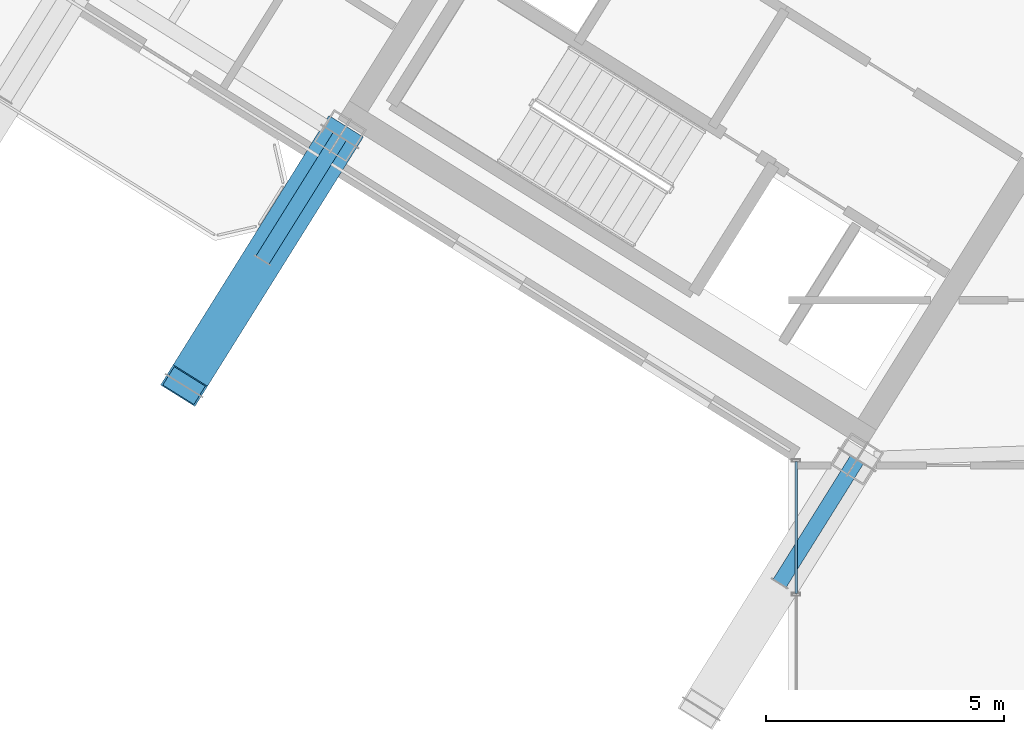
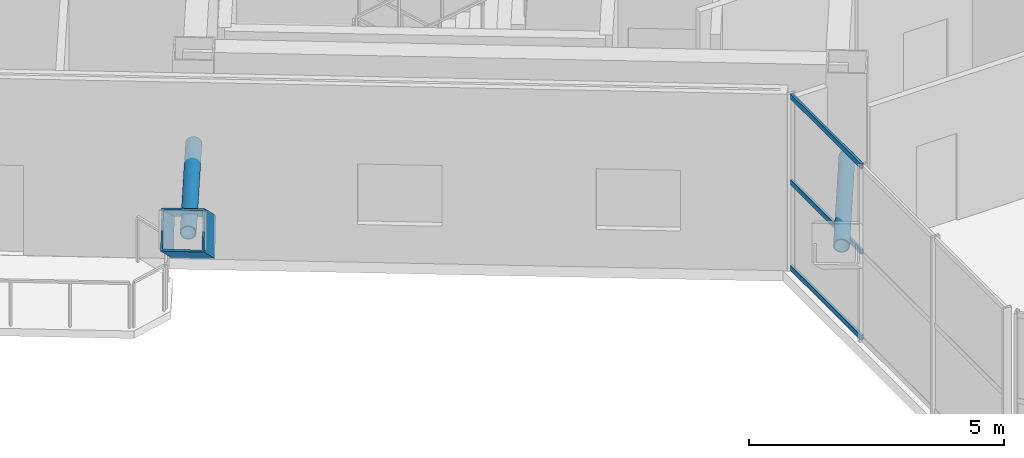
# One storey, part 6 of 34: 6 members, 1 element without a shape of its own.
"""IFC4 building model written with IfcOpenShell, lengths in metres."""

from ifc_helpers import new_model, si_unit, direction, frame, origin, origin_2d, place, context, subcontext, project, spatial, hollow_rectangle, hollow_circle, extrude, source, transform, mapped, material, material_profile, profile_set, type_object, element, aggregate, save


model = new_model("IFC4")

# Units and contexts
model_context = context("Model", 3, precision=1e-05, world=origin(), true_north=direction((0.0, 1.0)))
body_context = subcontext(model_context, "Body", "Model", "MODEL_VIEW")
ifc_project = project(units=[si_unit("LENGTHUNIT", "METRE"), si_unit("AREAUNIT", "SQUARE_METRE"), si_unit("VOLUMEUNIT", "CUBIC_METRE"), si_unit("PLANEANGLEUNIT", "RADIAN"), si_unit("MASSUNIT", "GRAM", prefix="KILO")], contexts=[model_context])

# Site, building, storey
site_placement = place(None, origin())
site = spatial("IfcSite", under=ifc_project, at=site_placement, CompositionType="ELEMENT")
building_placement = place(site_placement, origin())
building = spatial("IfcBuilding", under=site, at=building_placement, Name="Tlacorven Tower", CompositionType="ELEMENT")
storey_placement = place(building_placement, frame((0.0, 0.0, 229.199951171875)))
storey = spatial("IfcBuildingStorey", under=building, at=storey_placement, Name="L58", CompositionType="ELEMENT", Elevation=229.199951171875)

# Members
ifc_material_1 = material(Name="Steel S460M", Category="steel")
ifc_material_profile_1 = material_profile(ifc_material_1, hollow_rectangle(XDim=0.85009765625, YDim=0.85009765625, WallThickness=0.0400390625, at=origin_2d()), Name="BOX 850X850X40")
ifc_profile_set_1 = profile_set([ifc_material_profile_1], Name="Steel S460M")
member_type_1 = type_object("IfcMemberType", Name="MB-RAK-EXT", PredefinedType="STRUT", material=ifc_profile_set_1)
shared_shape_1 = source(origin(), body_context, "Body", "SweptSolid", [
    extrude(hollow_rectangle(XDim=0.85009765625, YDim=0.85009765625, WallThickness=0.0400390625, at=origin_2d()), origin(), (0.0, 0.0, 1.0), 7.62109375),
])
member_1_placement = place(storey_placement, frame((22.1826171875, 18.856201171875, 0.01171875), z_axis=(-0.428857238409, -0.686325351137, 0.587400188501), x_axis=(0.848051671646, -0.529913542211, 0.0)))
element("IfcMember", 1, at=member_1_placement, inside=storey, type_object=member_type_1, Name="L58 Block-Shift Raking Transfer Strut W3", PredefinedType="STRUT", context=body_context, shape_type="MappedRepresentation", body=[
    mapped(shared_shape_1, transform((0.0, 0.0, 0.0), scale=1.0)),
])
ifc_material_profile_2 = material_profile(ifc_material_1, hollow_circle(Radius=0.161865234375, WallThickness=0.01611328125, at=origin_2d()), Name="CHS 323.9X16")
ifc_profile_set_2 = profile_set([ifc_material_profile_2], Name="Steel S460M")
member_type_2 = type_object("IfcMemberType", Name="MB-SHF-BRC", PredefinedType="BRACE", material=ifc_profile_set_2)
shared_shape_2 = source(origin(), body_context, "Body", "SweptSolid", [
    extrude(hollow_circle(Radius=0.161865234375, WallThickness=0.01611328125, at=origin_2d()), origin(), (0.0, 0.0, 1.0), 3.06005859375),
])
member_2_placement = place(storey_placement, frame((33.03564453125, 12.06982421875, 2.25), z_axis=(-0.529934393004, -0.848038642463, 0.0), x_axis=(0.848038642463, -0.529934393004, 0.0)))
element("IfcMember", 2, at=member_2_placement, inside=storey, type_object=member_type_2, Name="L58 Raking Strut Stabilising Web Brace W1", PredefinedType="BRACE", context=body_context, shape_type="MappedRepresentation", body=[
    mapped(shared_shape_2, transform((0.0, 0.0, 0.0), scale=1.0)),
])
shared_shape_3 = source(origin(), body_context, "Body", "SweptSolid", [
    extrude(hollow_circle(Radius=0.161865234375, WallThickness=0.01611328125, at=origin_2d()), origin(), (0.0, 0.0, 1.0), 3.059814453125),
])
member_3_placement = place(storey_placement, frame((22.180419921875, 18.852783203125, 2.25), z_axis=(-0.529877010161, -0.848074497967, 0.0), x_axis=(0.848074497967, -0.529877010161, 0.0)))
element("IfcMember", 3, at=member_3_placement, inside=storey, type_object=member_type_2, Name="L58 Raking Strut Stabilising Web Brace W3", PredefinedType="BRACE", context=body_context, shape_type="MappedRepresentation", body=[
    mapped(shared_shape_3, transform((0.0, 0.0, 0.0), scale=1.0)),
])

# Curtain wall, members
ifc_material_2 = material(Name="Dark solar low-E double glazing in aluminium frame", Category="aluminium")
curtain_wall_type = type_object("IfcCurtainWallType", Name="CW-TWR-HIGH", PredefinedType="USERDEFINED", material=ifc_material_2)
curtain_wall_placement = place(storey_placement, origin())
curtain_wall = element("IfcCurtainWall", 4, at=curtain_wall_placement, inside=storey, type_object=curtain_wall_type, Name="L58 CW-TWR-HIGH Curtain Wall 265", ObjectType="UNITISED CURTAIN WALL", PredefinedType="USERDEFINED")
ifc_material_3 = material(Name="Aluminium 6063-T6 anodised", Category="aluminium")
ifc_material_profile_3 = material_profile(ifc_material_3, hollow_rectangle(XDim=0.054931640625, YDim=0.1201171875, WallThickness=0.00341796875, at=origin_2d()), Name="ALU TRANSOM 55X120")
ifc_profile_set_3 = profile_set([ifc_material_profile_3], Name="Aluminium 6063-T6 anodised")
member_type_3 = type_object("IfcMemberType", Name="CWT-03", PredefinedType="USERDEFINED", material=ifc_profile_set_3)
shared_shape_4 = source(origin(), body_context, "Body", "SweptSolid", [
    extrude(hollow_rectangle(XDim=0.054931640625, YDim=0.1201171875, WallThickness=0.00341796875, at=origin_2d()), origin(), (0.0, 0.0, 1.0), 2.77294921875),
])
member_4_placement = place(storey_placement, frame((31.760009765625, 9.26220703125, 0.06005859375), z_axis=(0.0, 1.0, 0.0), x_axis=(-1.0, 0.0, 0.0)))
member_4 = element("IfcMember", 5, at=member_4_placement, type_object=member_type_3, Name="CW-L58-265 Transom 7", ObjectType="TRANSOM", PredefinedType="USERDEFINED", context=body_context, shape_type="MappedRepresentation", body=[
    mapped(shared_shape_4, transform((0.0, 0.0, 0.0), scale=1.0)),
])
member_5_placement = place(storey_placement, frame((31.760009765625, 9.26220703125, 2.110107421875), z_axis=(0.0, 1.0, 0.0), x_axis=(-1.0, 0.0, 0.0)))
member_5 = element("IfcMember", 6, at=member_5_placement, type_object=member_type_3, Name="CW-L58-265 Transom 8", ObjectType="TRANSOM", PredefinedType="USERDEFINED", context=body_context, shape_type="MappedRepresentation", body=[
    mapped(shared_shape_4, transform((0.0, 0.0, 0.0), scale=1.0)),
])
member_6_placement = place(storey_placement, frame((31.760009765625, 9.26220703125, 4.16015625), z_axis=(0.0, 1.0, 0.0), x_axis=(-1.0, 0.0, 0.0)))
member_6 = element("IfcMember", 7, at=member_6_placement, type_object=member_type_3, Name="CW-L58-265 Transom 9", ObjectType="TRANSOM", PredefinedType="USERDEFINED", context=body_context, shape_type="MappedRepresentation", body=[
    mapped(shared_shape_4, transform((0.0, 0.0, 0.0), scale=1.0)),
])
aggregate(curtain_wall, [member_4, member_5, member_6])

save(model, "model.ifc")
